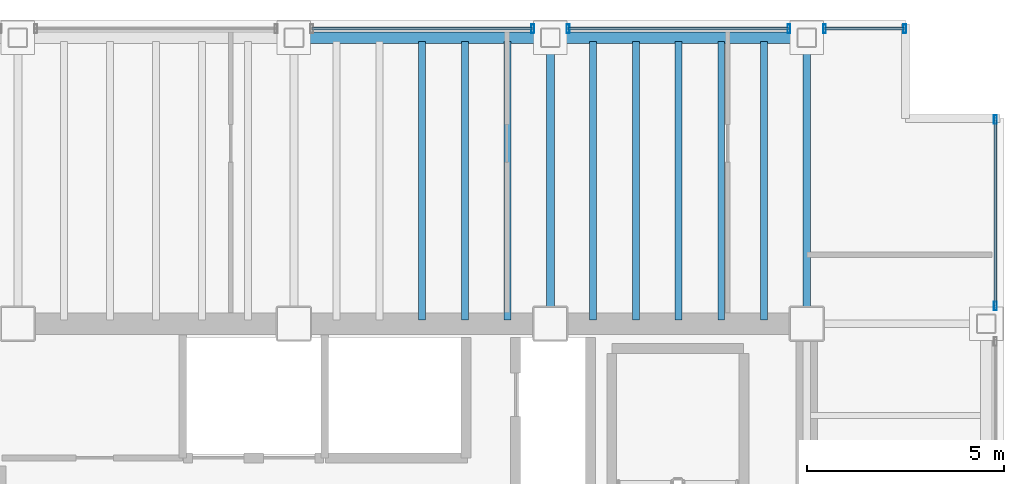
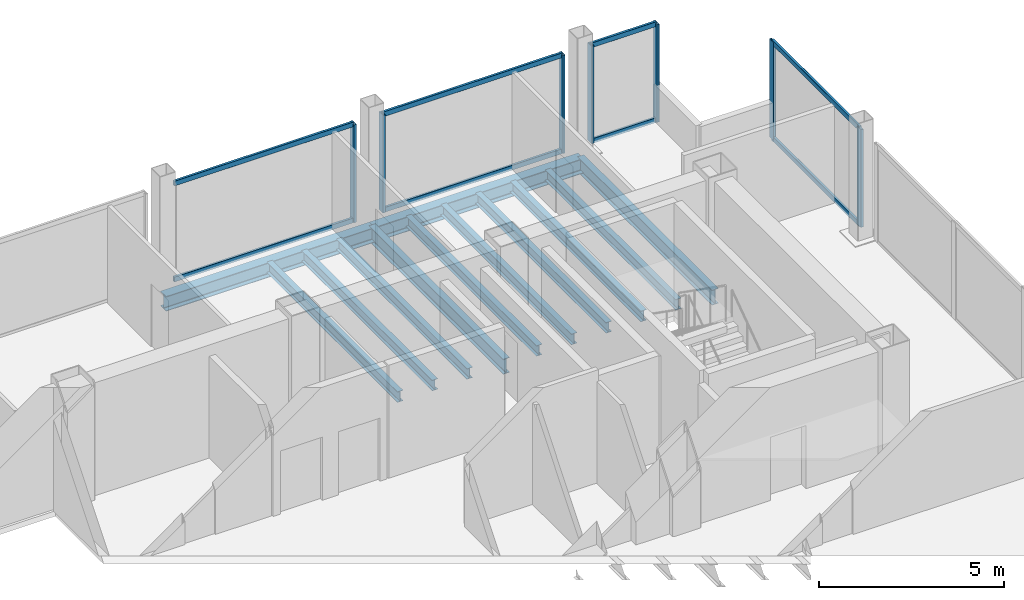
# One storey, part 14 of 19: 15 members, 12 beams, 4 elements without a shape of their own.
"""IFC4 building model written with IfcOpenShell, lengths in metres."""

from ifc_helpers import new_model, si_unit, direction, frame, origin, origin_2d, place, context, subcontext, project, spatial, hollow_rectangle, i_section, extrude, material, material_profile, profile_set, type_object, element, aggregate, save


model = new_model("IFC4")

# Units and contexts
model_context = context("Model", 3, precision=1e-05, world=origin(), true_north=direction((0.0, 1.0)))
body_context = subcontext(model_context, "Body", "Model", "MODEL_VIEW")
ifc_project = project(units=[si_unit("LENGTHUNIT", "METRE"), si_unit("AREAUNIT", "SQUARE_METRE"), si_unit("VOLUMEUNIT", "CUBIC_METRE"), si_unit("PLANEANGLEUNIT", "RADIAN"), si_unit("MASSUNIT", "GRAM", prefix="KILO")], contexts=[model_context])

# Site, building, storey
site_placement = place(None, origin())
site = spatial("IfcSite", under=ifc_project, at=site_placement, CompositionType="ELEMENT")
building_placement = place(site_placement, origin())
building = spatial("IfcBuilding", under=site, at=building_placement, Name="Noeulbin Bourse Tower", CompositionType="ELEMENT")
storey_placement = place(building_placement, frame((0.0, 0.0, 157.800048828125)))
storey = spatial("IfcBuildingStorey", under=building, at=storey_placement, Name="L39", CompositionType="ELEMENT", Elevation=157.800048828125)

# Beams
ifc_material_1 = material(Name="Steel S355", Category="steel")
ifc_material_profile_1 = material_profile(ifc_material_1, i_section(OverallWidth=0.199951171875, OverallDepth=0.5, WebThickness=0.010009765625, FlangeThickness=0.01611328125, FilletRadius=0.02001953125, at=origin_2d()), Name="H-500x200x10x16", Category="LoadBearing")
ifc_profile_set_1 = profile_set([ifc_material_profile_1], Name="Steel S355")
beam_type_1 = type_object("IfcBeamType", Name="BM-GRD-500", PredefinedType="USERDEFINED", material=ifc_profile_set_1)
for number, where, z_axis, x_axis, name in (
    (1, (37.5, 38.300048828125, -0.429931640625), (0.0, 1.0, 0.0), (-1.0, 0.0, 0.0), "Tower Primary Girder NS L39-4.4"),
    (2, (44.0, 38.300048828125, -0.429931640625), (0.0, 1.0, 0.0), (-1.0, 0.0, 0.0), "Tower Primary Girder NS L39-5.4"),
):
    element("IfcBeam", number, at=place(storey_placement, frame(where, z_axis=z_axis, x_axis=x_axis)), inside=storey, type_object=beam_type_1, Name=name, ObjectType="GIRDER", PredefinedType="USERDEFINED", context=body_context, shape_type="SweptSolid", body=[
        extrude(i_section(OverallWidth=0.199951171875, OverallDepth=0.5, WebThickness=0.010009765625, FlangeThickness=0.01611328125, FilletRadius=0.02001953125, at=origin_2d()), origin(), (0.0, 0.0, 1.0), 7.25),
    ])
ifc_material_profile_2 = material_profile(ifc_material_1, i_section(OverallWidth=0.175048828125, OverallDepth=0.35009765625, WebThickness=0.007080078125, FlangeThickness=0.010986328125, FilletRadius=0.013916015625, at=origin_2d()), Name="H-350x175x7x11", Category="LoadBearing")
ifc_profile_set_2 = profile_set([ifc_material_profile_2], Name="Steel S355")
beam_type_2 = type_object("IfcBeamType", Name="BM-JST-350", PredefinedType="JOIST", material=ifc_profile_set_2)
for number, where, z_axis, x_axis, name in (
    (3, (34.25, 38.39990234375, -0.35498046875), (0.0, 1.0, 0.0), (-1.0, 0.0, 0.0), "Tower Composite Joist L39-48"),
    (4, (35.333251953125, 38.39990234375, -0.35498046875), (0.0, 1.0, 0.0), (-1.0, 0.0, 0.0), "Tower Composite Joist L39-51"),
    (5, (36.416748046875, 38.39990234375, -0.35498046875), (0.0, 1.0, 0.0), (-1.0, 0.0, 0.0), "Tower Composite Joist L39-54"),
    (6, (38.583251953125, 38.39990234375, -0.35498046875), (0.0, 1.0, 0.0), (-1.0, 0.0, 0.0), "Tower Composite Joist L39-57"),
    (7, (39.666748046875, 38.39990234375, -0.35498046875), (0.0, 1.0, 0.0), (-1.0, 0.0, 0.0), "Tower Composite Joist L39-60"),
    (8, (40.75, 38.39990234375, -0.35498046875), (0.0, 1.0, 0.0), (-1.0, 0.0, 0.0), "Tower Composite Joist L39-63"),
    (9, (41.833251953125, 38.39990234375, -0.35498046875), (0.0, 1.0, 0.0), (-1.0, 0.0, 0.0), "Tower Composite Joist L39-66"),
    (10, (42.916748046875, 38.39990234375, -0.35498046875), (0.0, 1.0, 0.0), (-1.0, 0.0, 0.0), "Tower Composite Joist L39-69"),
):
    element("IfcBeam", number, at=place(storey_placement, frame(where, z_axis=z_axis, x_axis=x_axis)), inside=storey, type_object=beam_type_2, Name=name, PredefinedType="JOIST", context=body_context, shape_type="SweptSolid", body=[
        extrude(i_section(OverallWidth=0.175048828125, OverallDepth=0.35009765625, WebThickness=0.007080078125, FlangeThickness=0.010986328125, FilletRadius=0.013916015625, at=origin_2d()), origin(), (0.0, 0.0, 1.0), 7.050048828125),
    ])
ifc_material_profile_3 = material_profile(ifc_material_1, i_section(OverallWidth=0.300048828125, OverallDepth=0.488037109375, WebThickness=0.010986328125, FlangeThickness=0.01806640625, FilletRadius=0.02197265625, at=origin_2d()), Name="H-488x300x11x18", Category="LoadBearing")
ifc_profile_set_3 = profile_set([ifc_material_profile_3], Name="Steel S355")
beam_type_3 = type_object("IfcBeamType", Name="BM-SPN-488", PredefinedType="SPANDREL", material=ifc_profile_set_3)
for number, where, z_axis, x_axis, name in (
    (11, (31.0, 45.550048828125, -0.424072265625), (1.0, 0.0, 0.0), (0.0, 1.0, 0.0), "North Spandrel L39-3"),
    (12, (37.5, 45.550048828125, -0.424072265625), (1.0, 0.0, 0.0), (0.0, 1.0, 0.0), "North Spandrel L39-4"),
):
    element("IfcBeam", number, at=place(storey_placement, frame(where, z_axis=z_axis, x_axis=x_axis)), inside=storey, type_object=beam_type_3, Name=name, PredefinedType="SPANDREL", context=body_context, shape_type="SweptSolid", body=[
        extrude(i_section(OverallWidth=0.300048828125, OverallDepth=0.488037109375, WebThickness=0.010986328125, FlangeThickness=0.01806640625, FilletRadius=0.02197265625, at=origin_2d()), origin(), (0.0, 0.0, 1.0), 6.5),
    ])

# Curtain wall, member
ifc_material_2 = material(Name="Dark Tinted Triple Glazing", Category="glass")
curtain_wall_type = type_object("IfcCurtainWallType", Name="CW-SYS-3", PredefinedType="NOTDEFINED", material=ifc_material_2)
curtain_wall_1_placement = place(storey_placement, origin())
curtain_wall_1 = element("IfcCurtainWall", 13, at=curtain_wall_1_placement, inside=storey, type_object=curtain_wall_type, Name="Unitised Curtain Wall CW-L39-N-S4", PredefinedType="NOTDEFINED")
ifc_material_3 = material(Name="Anodised Aluminium 6063-T6", Category="aluminium")
ifc_material_profile_4 = material_profile(ifc_material_3, hollow_rectangle(XDim=0.074951171875, YDim=0.219970703125, WallThickness=0.0048828125, InnerFilletRadius=0.00244140625, OuterFilletRadius=0.0048828125, at=origin_2d()), Name="ALU-MULL-75x220x5", Category="LoadBearing")
ifc_profile_set_4 = profile_set([ifc_material_profile_4], Name="Anodised Aluminium 6063-T6")
member_type_1 = type_object("IfcMemberType", Name="CW-SYS-3-MUL", PredefinedType="MULLION", material=ifc_profile_set_4)
member_1_placement = place(storey_placement, frame((37.050048828125, 45.780029296875, -0.02001953125), z_axis=(0.0, 0.0, 1.0), x_axis=(1.0, 0.0, 0.0)))
member_1 = element("IfcMember", 14, at=member_1_placement, type_object=member_type_1, Name="Curtain Wall Mullion CW-L39-N-S4-M01", PredefinedType="MULLION", context=body_context, shape_type="SweptSolid", body=[
    extrude(hollow_rectangle(XDim=0.074951171875, YDim=0.219970703125, WallThickness=0.0048828125, InnerFilletRadius=0.00244140625, OuterFilletRadius=0.0048828125, at=origin_2d()), origin(), (0.0, 0.0, 1.0), 3.219970703125),
])

# Curtain wall, members
curtain_wall_2_placement = place(storey_placement, origin())
curtain_wall_2 = element("IfcCurtainWall", 15, at=curtain_wall_2_placement, inside=storey, type_object=curtain_wall_type, Name="Unitised Curtain Wall CW-L39-N-S5", PredefinedType="NOTDEFINED")
member_2_placement = place(storey_placement, frame((37.949951171875, 45.780029296875, -0.02001953125), z_axis=(0.0, 0.0, 1.0), x_axis=(1.0, 0.0, 0.0)))
member_2 = element("IfcMember", 16, at=member_2_placement, type_object=member_type_1, Name="Curtain Wall Mullion CW-L39-N-S5-M00", PredefinedType="MULLION", context=body_context, shape_type="SweptSolid", body=[
    extrude(hollow_rectangle(XDim=0.074951171875, YDim=0.219970703125, WallThickness=0.0048828125, InnerFilletRadius=0.00244140625, OuterFilletRadius=0.0048828125, at=origin_2d()), origin(), (0.0, 0.0, 1.0), 3.219970703125),
])
member_3_placement = place(storey_placement, frame((43.550048828125, 45.780029296875, -0.02001953125), z_axis=(0.0, 0.0, 1.0), x_axis=(1.0, 0.0, 0.0)))
member_3 = element("IfcMember", 17, at=member_3_placement, type_object=member_type_1, Name="Curtain Wall Mullion CW-L39-N-S5-M01", PredefinedType="MULLION", context=body_context, shape_type="SweptSolid", body=[
    extrude(hollow_rectangle(XDim=0.074951171875, YDim=0.219970703125, WallThickness=0.0048828125, InnerFilletRadius=0.00244140625, OuterFilletRadius=0.0048828125, at=origin_2d()), origin(), (0.0, 0.0, 1.0), 3.219970703125),
])

curtain_wall_3_placement = place(storey_placement, origin())
curtain_wall_3 = element("IfcCurtainWall", 18, at=curtain_wall_3_placement, inside=storey, type_object=curtain_wall_type, Name="Unitised Curtain Wall CW-L39-N-S6", PredefinedType="NOTDEFINED")
member_4_placement = place(storey_placement, frame((44.449951171875, 45.780029296875, -0.02001953125), z_axis=(0.0, 0.0, 1.0), x_axis=(1.0, 0.0, 0.0)))
member_4 = element("IfcMember", 19, at=member_4_placement, type_object=member_type_1, Name="Curtain Wall Mullion CW-L39-N-S6-M00", PredefinedType="MULLION", context=body_context, shape_type="SweptSolid", body=[
    extrude(hollow_rectangle(XDim=0.074951171875, YDim=0.219970703125, WallThickness=0.0048828125, InnerFilletRadius=0.00244140625, OuterFilletRadius=0.0048828125, at=origin_2d()), origin(), (0.0, 0.0, 1.0), 3.219970703125),
])
member_5_placement = place(storey_placement, frame((46.47998046875, 45.780029296875, -0.02001953125), z_axis=(0.0, 0.0, 1.0), x_axis=(1.0, 0.0, 0.0)))
member_5 = element("IfcMember", 20, at=member_5_placement, type_object=member_type_1, Name="Curtain Wall Mullion CW-L39-N-S6-M01", PredefinedType="MULLION", context=body_context, shape_type="SweptSolid", body=[
    extrude(hollow_rectangle(XDim=0.074951171875, YDim=0.219970703125, WallThickness=0.0048828125, InnerFilletRadius=0.00244140625, OuterFilletRadius=0.0048828125, at=origin_2d()), origin(), (0.0, 0.0, 1.0), 3.219970703125),
])

curtain_wall_4_placement = place(storey_placement, origin())
curtain_wall_4 = element("IfcCurtainWall", 21, at=curtain_wall_4_placement, inside=storey, type_object=curtain_wall_type, Name="Unitised Curtain Wall CW-L39-E-S3", PredefinedType="NOTDEFINED")
member_6_placement = place(storey_placement, frame((48.780029296875, 38.75, -0.02001953125), z_axis=(0.0, 0.0, 1.0), x_axis=(1.0, 0.0, 0.0)))
member_6 = element("IfcMember", 22, at=member_6_placement, type_object=member_type_1, Name="Curtain Wall Mullion CW-L39-E-S3-M00", PredefinedType="MULLION", context=body_context, shape_type="SweptSolid", body=[
    extrude(hollow_rectangle(XDim=0.074951171875, YDim=0.219970703125, WallThickness=0.0048828125, InnerFilletRadius=0.00244140625, OuterFilletRadius=0.0048828125, at=origin_2d()), origin(), (0.0, 0.0, 1.0), 3.219970703125),
])
member_7_placement = place(storey_placement, frame((48.780029296875, 43.47998046875, -0.02001953125), z_axis=(0.0, 0.0, 1.0), x_axis=(1.0, 0.0, 0.0)))
member_7 = element("IfcMember", 23, at=member_7_placement, type_object=member_type_1, Name="Curtain Wall Mullion CW-L39-E-S3-M01", PredefinedType="MULLION", context=body_context, shape_type="SweptSolid", body=[
    extrude(hollow_rectangle(XDim=0.074951171875, YDim=0.219970703125, WallThickness=0.0048828125, InnerFilletRadius=0.00244140625, OuterFilletRadius=0.0048828125, at=origin_2d()), origin(), (0.0, 0.0, 1.0), 3.219970703125),
])

# Member
ifc_material_profile_5 = material_profile(ifc_material_3, hollow_rectangle(XDim=0.074951171875, YDim=0.159912109375, WallThickness=0.0048828125, InnerFilletRadius=0.00244140625, OuterFilletRadius=0.0048828125, at=origin_2d()), Name="ALU-TRAN-75x160x5", Category="LoadBearing")
ifc_profile_set_5 = profile_set([ifc_material_profile_5], Name="Anodised Aluminium 6063-T6")
member_type_2 = type_object("IfcMemberType", Name="CW-SYS-3-TRN", PredefinedType="USERDEFINED", material=ifc_profile_set_5)
member_8_placement = place(storey_placement, frame((31.4599609375, 45.780029296875, 0.010009765625), z_axis=(1.0, 0.0, 0.0), x_axis=(0.0, 1.0, 0.0)))
member_8 = element("IfcMember", 24, at=member_8_placement, type_object=member_type_2, Name="Curtain Wall Transom CW-L39-N-S4-T00", ObjectType="TRANSOM", PredefinedType="USERDEFINED", context=body_context, shape_type="SweptSolid", body=[
    extrude(hollow_rectangle(XDim=0.074951171875, YDim=0.159912109375, WallThickness=0.0048828125, InnerFilletRadius=0.00244140625, OuterFilletRadius=0.0048828125, at=origin_2d()), origin(), (0.0, 0.0, 1.0), 5.580078125),
])

member_9_placement = place(storey_placement, frame((31.4599609375, 45.780029296875, 3.169921875), z_axis=(1.0, 0.0, 0.0), x_axis=(0.0, 1.0, 0.0)))
member_9 = element("IfcMember", 25, at=member_9_placement, type_object=member_type_2, Name="Curtain Wall Transom CW-L39-N-S4-T01", ObjectType="TRANSOM", PredefinedType="USERDEFINED", context=body_context, shape_type="SweptSolid", body=[
    extrude(hollow_rectangle(XDim=0.074951171875, YDim=0.159912109375, WallThickness=0.0048828125, InnerFilletRadius=0.00244140625, OuterFilletRadius=0.0048828125, at=origin_2d()), origin(), (0.0, 0.0, 1.0), 5.580078125),
])

aggregate(curtain_wall_1, [member_1, member_8, member_9])

member_10_placement = place(storey_placement, frame((37.9599609375, 45.780029296875, 0.010009765625), z_axis=(1.0, 0.0, 0.0), x_axis=(0.0, 1.0, 0.0)))
member_10 = element("IfcMember", 26, at=member_10_placement, type_object=member_type_2, Name="Curtain Wall Transom CW-L39-N-S5-T00", ObjectType="TRANSOM", PredefinedType="USERDEFINED", context=body_context, shape_type="SweptSolid", body=[
    extrude(hollow_rectangle(XDim=0.074951171875, YDim=0.159912109375, WallThickness=0.0048828125, InnerFilletRadius=0.00244140625, OuterFilletRadius=0.0048828125, at=origin_2d()), origin(), (0.0, 0.0, 1.0), 5.580078125),
])

member_11_placement = place(storey_placement, frame((37.9599609375, 45.780029296875, 3.169921875), z_axis=(1.0, 0.0, 0.0), x_axis=(0.0, 1.0, 0.0)))
member_11 = element("IfcMember", 27, at=member_11_placement, type_object=member_type_2, Name="Curtain Wall Transom CW-L39-N-S5-T01", ObjectType="TRANSOM", PredefinedType="USERDEFINED", context=body_context, shape_type="SweptSolid", body=[
    extrude(hollow_rectangle(XDim=0.074951171875, YDim=0.159912109375, WallThickness=0.0048828125, InnerFilletRadius=0.00244140625, OuterFilletRadius=0.0048828125, at=origin_2d()), origin(), (0.0, 0.0, 1.0), 5.580078125),
])

aggregate(curtain_wall_2, [member_2, member_3, member_10, member_11])

member_12_placement = place(storey_placement, frame((44.4599609375, 45.780029296875, 0.010009765625), z_axis=(1.0, 0.0, 0.0), x_axis=(0.0, 1.0, 0.0)))
member_12 = element("IfcMember", 28, at=member_12_placement, type_object=member_type_2, Name="Curtain Wall Transom CW-L39-N-S6-T00", ObjectType="TRANSOM", PredefinedType="USERDEFINED", context=body_context, shape_type="SweptSolid", body=[
    extrude(hollow_rectangle(XDim=0.074951171875, YDim=0.159912109375, WallThickness=0.0048828125, InnerFilletRadius=0.00244140625, OuterFilletRadius=0.0048828125, at=origin_2d()), origin(), (0.0, 0.0, 1.0), 2.010009765625),
])

member_13_placement = place(storey_placement, frame((44.4599609375, 45.780029296875, 3.169921875), z_axis=(1.0, 0.0, 0.0), x_axis=(0.0, 1.0, 0.0)))
member_13 = element("IfcMember", 29, at=member_13_placement, type_object=member_type_2, Name="Curtain Wall Transom CW-L39-N-S6-T01", ObjectType="TRANSOM", PredefinedType="USERDEFINED", context=body_context, shape_type="SweptSolid", body=[
    extrude(hollow_rectangle(XDim=0.074951171875, YDim=0.159912109375, WallThickness=0.0048828125, InnerFilletRadius=0.00244140625, OuterFilletRadius=0.0048828125, at=origin_2d()), origin(), (0.0, 0.0, 1.0), 2.010009765625),
])

aggregate(curtain_wall_3, [member_4, member_5, member_12, member_13])

member_14_placement = place(storey_placement, frame((48.780029296875, 38.760009765625, 0.010009765625), z_axis=(0.0, 1.0, 0.0), x_axis=(-1.0, 0.0, 0.0)))
member_14 = element("IfcMember", 30, at=member_14_placement, type_object=member_type_2, Name="Curtain Wall Transom CW-L39-E-S3-T00", ObjectType="TRANSOM", PredefinedType="USERDEFINED", context=body_context, shape_type="SweptSolid", body=[
    extrude(hollow_rectangle(XDim=0.074951171875, YDim=0.159912109375, WallThickness=0.0048828125, InnerFilletRadius=0.00244140625, OuterFilletRadius=0.0048828125, at=origin_2d()), origin(), (0.0, 0.0, 1.0), 4.7099609375),
])

member_15_placement = place(storey_placement, frame((48.780029296875, 38.760009765625, 3.169921875), z_axis=(0.0, 1.0, 0.0), x_axis=(-1.0, 0.0, 0.0)))
member_15 = element("IfcMember", 31, at=member_15_placement, type_object=member_type_2, Name="Curtain Wall Transom CW-L39-E-S3-T01", ObjectType="TRANSOM", PredefinedType="USERDEFINED", context=body_context, shape_type="SweptSolid", body=[
    extrude(hollow_rectangle(XDim=0.074951171875, YDim=0.159912109375, WallThickness=0.0048828125, InnerFilletRadius=0.00244140625, OuterFilletRadius=0.0048828125, at=origin_2d()), origin(), (0.0, 0.0, 1.0), 4.7099609375),
])

aggregate(curtain_wall_4, [member_6, member_7, member_14, member_15])

save(model, "model.ifc")
